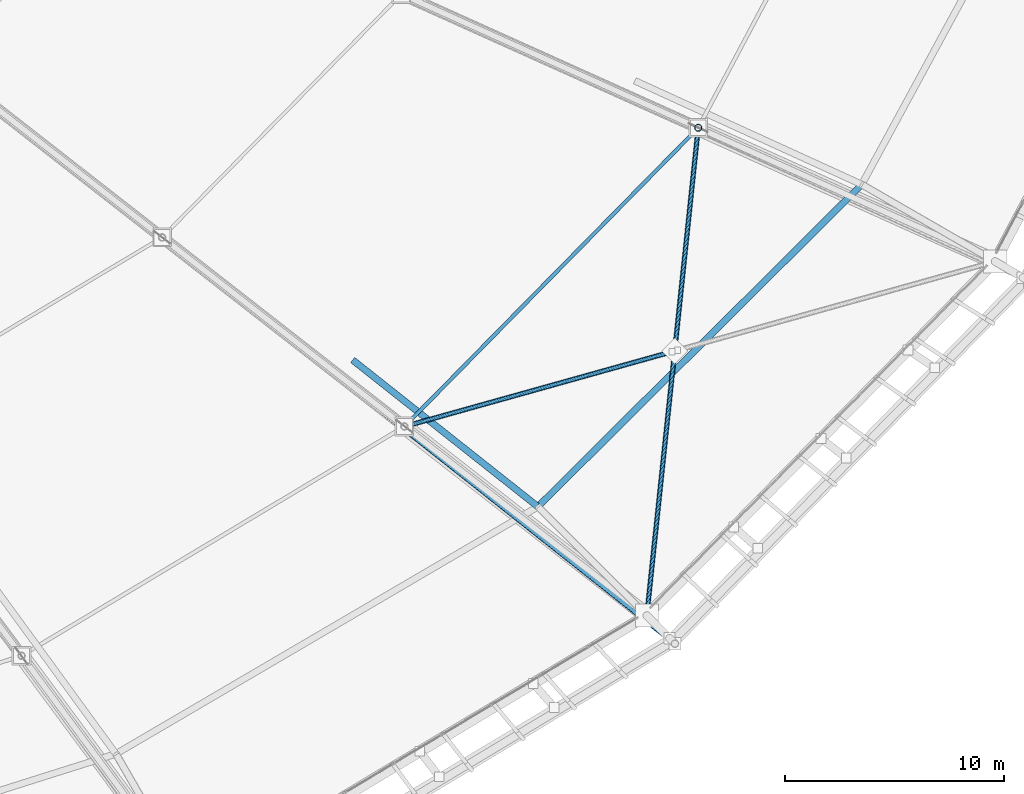
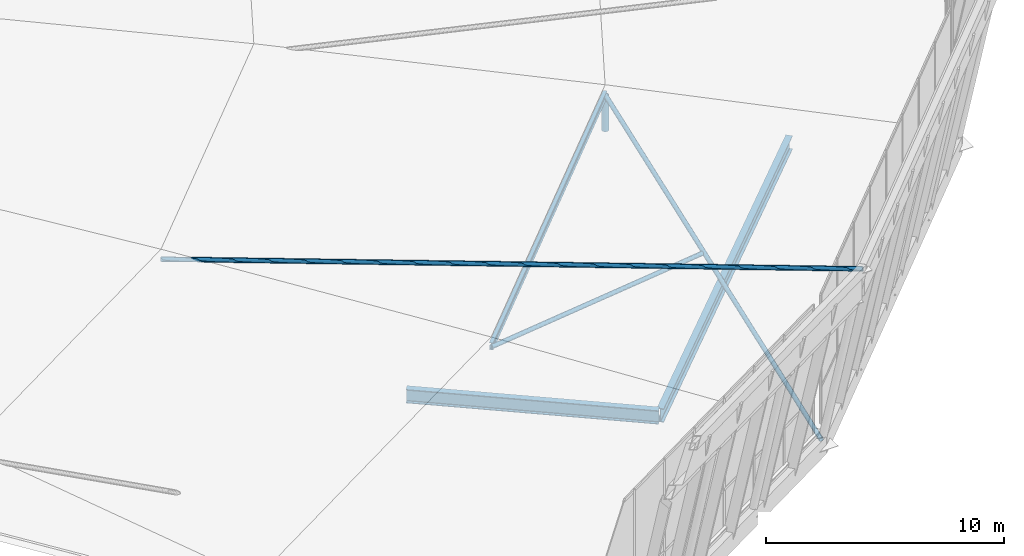
# One storey, part 43 of 115: 5 members, 2 beams.
"""IFC4 building model written with IfcOpenShell, lengths in metres."""

import ifcopenshell
import ifcopenshell.guid

model = None  # the IFC model being written
_history = None  # IfcOwnerHistory: only IFC2X3 demands one
_inside = {}  # id of a spatial element -> (the spatial element, [elements in it])
_under = {}  # id of a project, library or spatial element -> (it, [spatial elements below it])
_declared = {}  # id of a project -> (the project, [libraries it declares])
_typed = {}  # id of a type object -> (the type object, [elements of that type])
_made_of = {}  # id of a material, layer set ... -> (it, [elements and type objects made of it])


def new_model(schema):
    """Start an empty IFC model of exactly this schema.

    Asked for "IFC4X3", IfcOpenShell would pick the latest addendum, in which some entities
    have other attributes; the version numbers below select the first issue.
    IFC2X3 requires an IfcOwnerHistory on every rooted entity: one is made here for all.
    """
    global model, _history
    if schema == "IFC4X3":
        model = ifcopenshell.file(schema_version=(4, 3, 0, 0))
    else:
        model = ifcopenshell.file(schema=schema)
    _inside.clear()
    _under.clear()
    _declared.clear()
    _typed.clear()
    _made_of.clear()
    _history = None
    if model.schema == "IFC2X3":
        org = make("IfcOrganization", Name="unknown")
        user = make(
            "IfcPersonAndOrganization",
            ThePerson=make("IfcPerson", FamilyName="unknown"),
            TheOrganization=org,
        )
        app = make(
            "IfcApplication",
            ApplicationDeveloper=org,
            Version="unknown",
            ApplicationFullName="unknown",
            ApplicationIdentifier="unknown",
        )
        _history = make(
            "IfcOwnerHistory",
            OwningUser=user,
            OwningApplication=app,
            ChangeAction="ADDED",
            CreationDate=0,
        )
    return model


def make(cls, **values):
    """One entity of the class cls with the attributes given. An attribute that is None is left unset."""
    return model.create_entity(
        cls, **{name: value for name, value in values.items() if value is not None}
    )


def rooted(cls, **values):
    """An entity with a GlobalId (a new one), such as an element, a storey or a relation."""
    return make(cls, GlobalId=ifcopenshell.guid.new(), OwnerHistory=_history, **values)


def si_unit(unit_type, name, prefix=None):
    """IfcSIUnit, for example si_unit("LENGTHUNIT", "METRE", prefix="MILLI")."""
    return make("IfcSIUnit", UnitType=unit_type, Prefix=prefix, Name=name)


def assignment(units):
    """IfcUnitAssignment: the units of a project."""
    return None if units is None else make("IfcUnitAssignment", Units=units)


def point(xyz):
    """IfcCartesianPoint."""
    return None if xyz is None else make("IfcCartesianPoint", Coordinates=xyz)


def direction(xyz):
    """IfcDirection."""
    return None if xyz is None else make("IfcDirection", DirectionRatios=xyz)


def frame(location, z_axis=None, x_axis=None):
    """IfcAxis2Placement3D, a coordinate frame: its origin and axes. An axis left out is left unset."""
    return make(
        "IfcAxis2Placement3D",
        Location=point(location),
        Axis=direction(z_axis),
        RefDirection=direction(x_axis),
    )


def frame_2d(location, x_axis=None):
    """IfcAxis2Placement2D, a coordinate frame in the plane: its origin and x axis."""
    return make(
        "IfcAxis2Placement2D", Location=point(location), RefDirection=direction(x_axis)
    )


def origin():
    """The frame at (0, 0, 0) with its axes left unset."""
    return frame((0.0, 0.0, 0.0))


def origin_2d():
    """The frame at (0, 0) in the plane with its x axis left unset."""
    return frame_2d((0.0, 0.0))


def place(relative_to, where):
    """IfcLocalPlacement: puts the frame where relative to a parent placement (None: the world)."""
    return make(
        "IfcLocalPlacement", PlacementRelTo=relative_to, RelativePlacement=where
    )


def context(
    kind, dimensions, precision=None, world=None, true_north=None, identifier=None
):
    """IfcGeometricRepresentationContext, for example the 3D "Model" context."""
    return make(
        "IfcGeometricRepresentationContext",
        ContextIdentifier=identifier,
        ContextType=kind,
        CoordinateSpaceDimension=dimensions,
        Precision=precision,
        WorldCoordinateSystem=world,
        TrueNorth=true_north,
    )


def subcontext(parent, identifier, kind, view, scale=None):
    """IfcGeometricRepresentationSubContext, for example "Body" below "Model"."""
    return make(
        "IfcGeometricRepresentationSubContext",
        ContextIdentifier=identifier,
        ContextType=kind,
        ParentContext=parent,
        TargetScale=scale,
        TargetView=view,
    )


def project(units=None, contexts=None):
    """IfcProject with its units and contexts."""
    return rooted(
        "IfcProject",
        Name="project",
        RepresentationContexts=contexts,
        UnitsInContext=assignment(units),
    )


def spatial(cls, under=None, at=None, **own):
    """A site, building, storey or space (cls), placed at a placement, below another one or the project."""
    s = rooted(cls, ObjectPlacement=at, **own)
    if under is not None:
        _under.setdefault(under.id(), (under, []))[1].append(s)
    return s


def profile(cls, at=None, kind="AREA", **sizes):
    """A parametric profile (cls). Its sizes go by their IFC names, for example OverallWidth=200.0."""
    return make(cls, ProfileType=kind, Position=at, **sizes)


def hollow_circle(**sizes):
    """IfcCircleHollowProfileDef."""
    return profile("IfcCircleHollowProfileDef", **sizes)


def i_section(**sizes):
    """IfcIShapeProfileDef."""
    return profile("IfcIShapeProfileDef", **sizes)


def extrude(swept, where, along, depth):
    """IfcExtrudedAreaSolid: the profile swept, set in the frame where, extruded along a direction by depth."""
    return make(
        "IfcExtrudedAreaSolid",
        SweptArea=swept,
        Position=where,
        ExtrudedDirection=direction(along),
        Depth=depth,
    )


def shape(context_of_items, identifier, shape_type, items):
    """IfcShapeRepresentation: the items that make up one representation, for example the "Body"."""
    return make(
        "IfcShapeRepresentation",
        ContextOfItems=context_of_items,
        RepresentationIdentifier=identifier,
        RepresentationType=shape_type,
        Items=items,
    )


def material(Name=None, Category=None):
    """IfcMaterial."""
    return make("IfcMaterial", Name=Name, Category=Category)


def material_profile(
    of_material, cross_section, Name=None, Category=None, Priority=None
):
    """IfcMaterialProfile: a cross section and its material."""
    return make(
        "IfcMaterialProfile",
        Name=Name,
        Material=of_material,
        Profile=cross_section,
        Priority=Priority,
        Category=Category,
    )


def profile_set(profiles, Name=None, composite=None):
    """IfcMaterialProfileSet."""
    return make(
        "IfcMaterialProfileSet",
        Name=Name,
        MaterialProfiles=profiles,
        CompositeProfile=composite,
    )


def made_of(thing, what):
    """Note that an element or type object is made of a material, layer set ...; save() writes the relation."""
    if what is not None:
        _made_of.setdefault(what.id(), (what, []))[1].append(thing)
    return thing


def type_object(cls, material=None, **own):
    """A type object (cls), such as IfcWallType, which elements share."""
    return made_of(rooted(cls, **own), material)


def element(
    cls,
    number,
    at=None,
    inside=None,
    cuts=None,
    type_object=None,
    material=None,
    context=None,
    identifier="Body",
    shape_type=None,
    held_by="IfcProductDefinitionShape",
    body=None,
    shapes=None,
    **own,
):
    """One element of the class cls, such as IfcWall. Its Tag is "e" and its number.

    at: its placement. inside: the storey or other place that contains it. cuts: it is an
    opening in that element (IfcRelVoidsElement). A single representation is given by context,
    identifier, shape_type and body (its items); several are given by shapes. held_by: the class
    of the entity that holds the representations. save() writes the other relations.
    """
    e = rooted(cls, Tag="e%d" % number, ObjectPlacement=at, **own)
    if body is not None:
        shapes = [shape(context, identifier, shape_type, body)]
    if shapes is not None:
        e.Representation = make(held_by, Representations=shapes)
    if inside is not None:
        _inside.setdefault(inside.id(), (inside, []))[1].append(e)
    if cuts is not None:
        rooted(
            "IfcRelVoidsElement", RelatingBuildingElement=cuts, RelatedOpeningElement=e
        )
    if type_object is not None:
        _typed.setdefault(type_object.id(), (type_object, []))[1].append(e)
    return made_of(e, material)


def aggregate(whole, parts):
    """IfcRelAggregates: a whole, such as a stair, and the parts it consists of."""
    return rooted("IfcRelAggregates", RelatingObject=whole, RelatedObjects=parts)


def save(model, path):
    """Write the relations noted so far, then the file.

    IfcRelAggregates (storeys below a building ...), IfcRelContainedInSpatialStructure (elements
    in a storey), IfcRelDefinesByType, IfcRelAssociatesMaterial and IfcRelDeclares: one each for
    every whole, place, type object, material and project.
    """
    for whole, parts in _under.values():
        aggregate(whole, parts)
    for where, things in _inside.values():
        rooted(
            "IfcRelContainedInSpatialStructure",
            RelatedElements=things,
            RelatingStructure=where,
        )
    for kind, things in _typed.values():
        rooted("IfcRelDefinesByType", RelatedObjects=things, RelatingType=kind)
    for what, things in _made_of.values():
        rooted("IfcRelAssociatesMaterial", RelatedObjects=things, RelatingMaterial=what)
    for by, libraries in _declared.values():
        rooted("IfcRelDeclares", RelatingContext=by, RelatedDefinitions=libraries)
    model.write(path)


model = new_model("IFC4")

# Units and contexts
model_context = context("Model", 3, precision=1e-05, world=origin(), true_north=direction((0.0, 1.0)))
body_context = subcontext(model_context, "Body", "Model", "MODEL_VIEW")
ifc_project = project(units=[si_unit("LENGTHUNIT", "METRE"), si_unit("AREAUNIT", "SQUARE_METRE"), si_unit("VOLUMEUNIT", "CUBIC_METRE"), si_unit("PLANEANGLEUNIT", "RADIAN"), si_unit("MASSUNIT", "GRAM", prefix="KILO")], contexts=[model_context])

# Site, building, storey
site_placement = place(None, origin())
site = spatial("IfcSite", under=ifc_project, at=site_placement, CompositionType="ELEMENT")
building_placement = place(site_placement, origin())
building = spatial("IfcBuilding", under=site, at=building_placement, Name="Zlatoyarsky Gate Stadium", CompositionType="ELEMENT")
storey_placement = place(building_placement, frame((0.0, 0.0, 31.800048828125)))
storey = spatial("IfcBuildingStorey", under=building, at=storey_placement, Name="RF", CompositionType="ELEMENT", Elevation=31.800048828125)

# Members
ifc_material = material(Name="Steel S355", Category="steel")
ifc_material_profile_1 = material_profile(ifc_material, hollow_circle(Radius=0.109619140625, WallThickness=0.012451171875, at=origin_2d()), Name="CHS 219.1X12.5")
ifc_profile_set_1 = profile_set([ifc_material_profile_1], Name="Steel S355")
member_type_1 = type_object("IfcMemberType", Name="STEEL CANOPY WIND BRACE CHS 219.1X12.5", PredefinedType="BRACE", material=ifc_profile_set_1)
member_1_placement = place(storey_placement, frame((183.0146484375, 23.54150390625, 8.849853515625), z_axis=(-0.781026517162, 0.618676157728, -0.08507285906), x_axis=(-0.620927184532, -0.783868248821, 0.0)))
element("IfcMember", 1, at=member_1_placement, inside=storey, type_object=member_type_1, Name="Crown fascia tie brace 21", PredefinedType="BRACE", context=body_context, shape_type="SweptSolid", body=[
    extrude(hollow_circle(Radius=0.109619140625, WallThickness=0.012451171875, at=origin_2d()), origin(), (0.0, 0.0, 1.0), 29.971923828125),
])
member_2_placement = place(storey_placement, frame((181.730224609375, 24.826171875, -0.25), z_axis=(0.103697098794, 0.983208511637, 0.150159696143), x_axis=(-0.994484217416, 0.104886325659, 0.0)))
element("IfcMember", 2, at=member_2_placement, inside=storey, type_object=member_type_1, Name="Roof wind X-brace continuous diagonal 21", PredefinedType="BRACE", context=body_context, shape_type="SweptSolid", body=[
    extrude(hollow_circle(Radius=0.109619140625, WallThickness=0.012451171875, at=origin_2d()), origin(), (0.0, 0.0, 1.0), 22.641845703125),
])
member_3_placement = place(storey_placement, frame((182.8798828125, 36.86669921875, 1.60986328125), z_axis=(-0.956100252982, -0.267084942721, 0.120573378565), x_axis=(0.269047803185, -0.963126824256, 0.0)))
element("IfcMember", 3, at=member_3_placement, inside=storey, type_object=member_type_1, Name="Roof wind X-brace split half-diagonal 21B", PredefinedType="BRACE", context=body_context, shape_type="SweptSolid", body=[
    extrude(hollow_circle(Radius=0.109619140625, WallThickness=0.012451171875, at=origin_2d()), origin(), (0.0, 0.0, 1.0), 12.772705078125),
])
ifc_material_profile_2 = material_profile(ifc_material, i_section(OverallWidth=0.169921875, OverallDepth=0.360107421875, WebThickness=0.008056640625, FlangeThickness=0.0126953125, FilletRadius=0.01806640625, at=origin_2d()), Name="IPE 360")
ifc_profile_set_2 = profile_set([ifc_material_profile_2], Name="Steel S355")
member_type_2 = type_object("IfcMemberType", Name="STEEL LONG SPAN PURLIN IPE 360", PredefinedType="PURLIN", material=ifc_profile_set_2)
member_4_placement = place(storey_placement, frame((170.66796875, 33.455322265625, 3.179931640625), z_axis=(0.701267484698, 0.712898250037, 0.0), x_axis=(-0.712898250037, 0.701267484698, 0.0)))
element("IfcMember", 4, at=member_4_placement, inside=storey, type_object=member_type_2, Name="Stadium roof purlin 21.1", PredefinedType="PURLIN", context=body_context, shape_type="SweptSolid", body=[
    extrude(i_section(OverallWidth=0.169921875, OverallDepth=0.360107421875, WebThickness=0.008056640625, FlangeThickness=0.0126953125, FilletRadius=0.01806640625, at=origin_2d()), origin(), (0.0, 0.0, 1.0), 19.122802734375),
])

# Beams
ifc_material_profile_3 = material_profile(ifc_material, i_section(OverallWidth=0.300048828125, OverallDepth=0.699951171875, WebThickness=0.01708984375, FlangeThickness=0.031982421875, FilletRadius=0.027099609375, at=origin_2d()), Name="HEB 700")
ifc_profile_set_3 = profile_set([ifc_material_profile_3], Name="Steel S355")
beam_type = type_object("IfcBeamType", Name="STEEL ROOF RING GIRDER HEB 700", PredefinedType="BEAM", material=ifc_profile_set_3)
beam_1_placement = place(storey_placement, frame((168.306884765625, 36.488037109375, -0.300048828125), z_axis=(0.784053658736, -0.620693048312, 0.0), x_axis=(0.620693048312, 0.784053658736, 0.0)))
element("IfcBeam", 5, at=beam_1_placement, inside=storey, type_object=beam_type, Name="RF roof tie girder BM-RF-RBC-21", PredefinedType="BEAM", context=body_context, shape_type="SweptSolid", body=[
    extrude(i_section(OverallWidth=0.300048828125, OverallDepth=0.699951171875, WebThickness=0.01708984375, FlangeThickness=0.031982421875, FilletRadius=0.027099609375, at=origin_2d()), origin(), (0.0, 0.0, 1.0), 10.742431640625),
])
beam_2_placement = place(storey_placement, frame((176.789306640625, 29.823486328125, -0.300048828125), z_axis=(0.708897206107, 0.70531181131, 0.0), x_axis=(-0.70531181131, 0.708897206107, 0.0)))
element("IfcBeam", 6, at=beam_2_placement, inside=storey, type_object=beam_type, Name="RF roof tie girder BM-RF-CRC-21", PredefinedType="BEAM", context=body_context, shape_type="SweptSolid", body=[
    extrude(i_section(OverallWidth=0.300048828125, OverallDepth=0.699951171875, WebThickness=0.01708984375, FlangeThickness=0.031982421875, FilletRadius=0.027099609375, at=origin_2d()), origin(), (0.0, 0.0, 1.0), 20.768310546875),
])

# Member
ifc_material_profile_4 = material_profile(ifc_material, hollow_circle(Radius=0.161865234375, WallThickness=0.01611328125, at=origin_2d()), Name="CHS 323.9X16")
ifc_profile_set_4 = profile_set([ifc_material_profile_4], Name="Steel S355")
member_type_3 = type_object("IfcMemberType", Name="STEEL TRUSS WEB STRUT CHS 323.9X16", PredefinedType="STRUT", material=ifc_profile_set_4)
member_5_placement = place(storey_placement, frame((184.078125, 47.087890625, 1.349853515625), z_axis=(0.0, 0.0, 1.0), x_axis=(1.0, 0.0, 0.0)))
element("IfcMember", 7, at=member_5_placement, inside=storey, type_object=member_type_3, Name="Radial truss R23 web strut 1", PredefinedType="STRUT", context=body_context, shape_type="SweptSolid", body=[
    extrude(hollow_circle(Radius=0.161865234375, WallThickness=0.01611328125, at=origin_2d()), origin(), (0.0, 0.0, 1.0), 1.800048828125),
])

save(model, "model.ifc")
